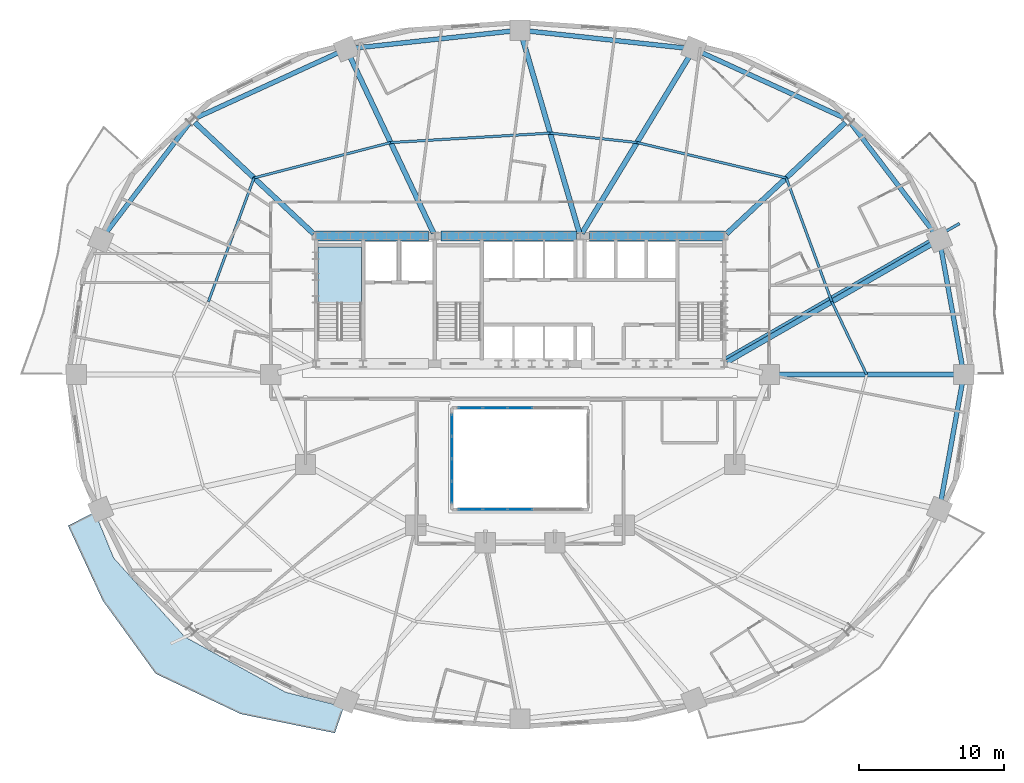
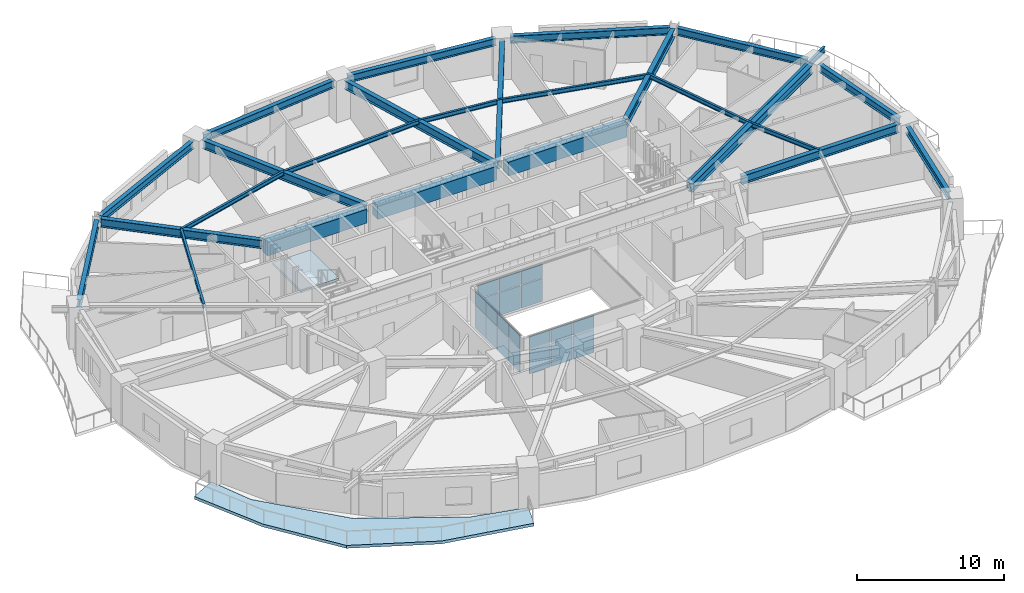
# One storey, part 7 of 17: 26 beams, 20 plates, 2 slabs, 4 elements without a shape of their own.
"""IFC4 building model written with IfcOpenShell, lengths in metres."""

from ifc_helpers import new_model, si_unit, direction, frame, origin, origin_2d, place, context, subcontext, project, spatial, polyline, rectangle, i_section, outline, extrude, material, layer, layer_set, material_profile, profile_set, type_object, element, aggregate, save


model = new_model("IFC4")

# Units and contexts
model_context = context("Model", 3, precision=1e-05, world=origin(), true_north=direction((0.0, 1.0)))
body_context = subcontext(model_context, "Body", "Model", "MODEL_VIEW")
ifc_project = project(units=[si_unit("LENGTHUNIT", "METRE"), si_unit("AREAUNIT", "SQUARE_METRE"), si_unit("VOLUMEUNIT", "CUBIC_METRE"), si_unit("PLANEANGLEUNIT", "RADIAN"), si_unit("MASSUNIT", "GRAM", prefix="KILO")], contexts=[model_context])

# Site, building, storey
site_placement = place(None, origin())
site = spatial("IfcSite", under=ifc_project, at=site_placement, CompositionType="ELEMENT")
building_placement = place(site_placement, origin())
building = spatial("IfcBuilding", under=site, at=building_placement, Name="Haldorwick Loom Tower", CompositionType="ELEMENT")
storey_placement = place(building_placement, frame((0.0, 0.0, 51.60009765625)))
storey = spatial("IfcBuildingStorey", under=building, at=storey_placement, Name="L13", CompositionType="ELEMENT", Elevation=51.60009765625)

# Beams
ifc_material_1 = material(Name="Steel CSA G40.21 350W", Category="steel")
ifc_material_profile_1 = material_profile(ifc_material_1, i_section(OverallWidth=0.193115234375, OverallDepth=0.466064453125, WebThickness=0.011474609375, FlangeThickness=0.01904296875, at=origin_2d()), Name="W460X97", Category="steel")
ifc_profile_set_1 = profile_set([ifc_material_profile_1], Name="Steel CSA G40.21 350W")
beam_type_1 = type_object("IfcBeamType", Name="STR-BM-BAL460", PredefinedType="BEAM", material=ifc_profile_set_1)
beam_1_placement = place(storey_placement, frame((50.125244140625, 27.10498046875, 2.976806640625), z_axis=(0.866607024941, 0.49899124674, 0.0), x_axis=(-0.49899124674, 0.866607024941, 0.0)))
element("IfcBeam", 1, at=beam_1_placement, inside=storey, type_object=beam_type_1, Name="L13 Continuous Back-Spanned Balcony Beam 4", PredefinedType="BEAM", context=body_context, shape_type="SweptSolid", body=[
    extrude(i_section(OverallWidth=0.193115234375, OverallDepth=0.466064453125, WebThickness=0.011474609375, FlangeThickness=0.01904296875, at=origin_2d()), origin(), (0.0, 0.0, 1.0), 18.65771484375),
])
ifc_material_2 = material(Name="Concrete C60 (60 MPa)", Category="concrete")
ifc_material_profile_2 = material_profile(ifc_material_2, rectangle(XDim=0.699951171875, YDim=1.14990234375, at=origin_2d()), Name="RC700X1150", Category="concrete")
ifc_profile_set_2 = profile_set([ifc_material_profile_2], Name="Concrete C60 (60 MPa)")
beam_type_2 = type_object("IfcBeamType", Name="STR-BM-CB1150", PredefinedType="LINTEL", material=ifc_profile_set_2)
beam_2_placement = place(storey_placement, frame((21.89990234375, 35.550048828125, 2.635009765625), z_axis=(1.0, 0.0, 0.0), x_axis=(0.0, 1.0, 0.0)))
element("IfcBeam", 2, at=beam_2_placement, inside=storey, type_object=beam_type_2, Name="L13 Core Coupling Beam CB-N1", PredefinedType="LINTEL", context=body_context, shape_type="SweptSolid", body=[
    extrude(rectangle(XDim=0.699951171875, YDim=1.14990234375, at=origin_2d()), origin(), (0.0, 0.0, 1.0), 7.800048828125),
])
beam_3_placement = place(storey_placement, frame((30.550048828125, 35.550048828125, 2.635009765625), z_axis=(1.0, 0.0, 0.0), x_axis=(0.0, 1.0, 0.0)))
element("IfcBeam", 3, at=beam_3_placement, inside=storey, type_object=beam_type_2, Name="L13 Core Coupling Beam CB-N2", PredefinedType="LINTEL", context=body_context, shape_type="SweptSolid", body=[
    extrude(rectangle(XDim=0.699951171875, YDim=1.14990234375, at=origin_2d()), origin(), (0.0, 0.0, 1.0), 9.349853515625),
])
beam_4_placement = place(storey_placement, frame((40.800048828125, 35.550048828125, 2.635009765625), z_axis=(1.0, 0.0, 0.0), x_axis=(0.0, 1.0, 0.0)))
element("IfcBeam", 4, at=beam_4_placement, inside=storey, type_object=beam_type_2, Name="L13 Core Coupling Beam CB-N3", PredefinedType="LINTEL", context=body_context, shape_type="SweptSolid", body=[
    extrude(rectangle(XDim=0.699951171875, YDim=1.14990234375, at=origin_2d()), origin(), (0.0, 0.0, 1.0), 9.300048828125),
])
ifc_material_profile_3 = material_profile(ifc_material_1, i_section(OverallWidth=0.172119140625, OverallDepth=0.35791015625, WebThickness=0.0078125, FlangeThickness=0.01318359375, at=origin_2d()), Name="W360X57", Category="steel")
ifc_profile_set_3 = profile_set([ifc_material_profile_3], Name="Steel CSA G40.21 350W")
beam_type_3 = type_object("IfcBeamType", Name="STR-BM-J360", PredefinedType="JOIST", material=ifc_profile_set_3)
beam_5_placement = place(storey_placement, frame((59.89794921875, 26.0, 3.031005859375), z_axis=(-0.431630738849, 0.902050389546, 0.0), x_axis=(-0.902050389546, -0.431630738849, 0.0)))
element("IfcBeam", 5, at=beam_5_placement, inside=storey, type_object=beam_type_3, Name="L13 Mid-Bay Secondary Joist 1", PredefinedType="JOIST", context=body_context, shape_type="SweptSolid", body=[
    extrude(i_section(OverallWidth=0.172119140625, OverallDepth=0.35791015625, WebThickness=0.0078125, FlangeThickness=0.01318359375, at=origin_2d()), origin(), (0.0, 0.0, 1.0), 5.5703125),
])
beam_6_placement = place(storey_placement, frame((57.49365234375, 31.024658203125, 3.031005859375), z_axis=(-0.345576005762, 0.938390763084, 0.0), x_axis=(-0.938390763084, -0.345576005762, 0.0)))
element("IfcBeam", 6, at=beam_6_placement, inside=storey, type_object=beam_type_3, Name="L13 Mid-Bay Secondary Joist 2", PredefinedType="JOIST", context=body_context, shape_type="SweptSolid", body=[
    extrude(i_section(OverallWidth=0.172119140625, OverallDepth=0.35791015625, WebThickness=0.0078125, FlangeThickness=0.01318359375, at=origin_2d()), origin(), (0.0, 0.0, 1.0), 9.0966796875),
])
beam_7_placement = place(storey_placement, frame((54.35009765625, 39.560791015625, 3.031005859375), z_axis=(-0.973016191143, 0.230736845289, 0.0), x_axis=(-0.230736845289, -0.973016191143, 0.0)))
element("IfcBeam", 7, at=beam_7_placement, inside=storey, type_object=beam_type_3, Name="L13 Mid-Bay Secondary Joist 3", PredefinedType="JOIST", context=body_context, shape_type="SweptSolid", body=[
    extrude(i_section(OverallWidth=0.172119140625, OverallDepth=0.35791015625, WebThickness=0.0078125, FlangeThickness=0.01318359375, at=origin_2d()), origin(), (0.0, 0.0, 1.0), 10.5712890625),
])
beam_8_placement = place(storey_placement, frame((44.06396484375, 42.0, 3.031005859375), z_axis=(-0.994163660215, 0.107882420753, 0.0), x_axis=(-0.107882420753, -0.994163660215, 0.0)))
element("IfcBeam", 8, at=beam_8_placement, inside=storey, type_object=beam_type_3, Name="L13 Mid-Bay Secondary Joist 4", PredefinedType="JOIST", context=body_context, shape_type="SweptSolid", body=[
    extrude(i_section(OverallWidth=0.172119140625, OverallDepth=0.35791015625, WebThickness=0.0078125, FlangeThickness=0.01318359375, at=origin_2d()), origin(), (0.0, 0.0, 1.0), 6.024169921875),
])
beam_9_placement = place(storey_placement, frame((38.074951171875, 42.64990234375, 3.031005859375), z_axis=(-0.998258904552, -0.058984400336, 0.0), x_axis=(0.058984400336, -0.998258904552, 0.0)))
element("IfcBeam", 9, at=beam_9_placement, inside=storey, type_object=beam_type_3, Name="L13 Mid-Bay Secondary Joist 5", PredefinedType="JOIST", context=body_context, shape_type="SweptSolid", body=[
    extrude(i_section(OverallWidth=0.172119140625, OverallDepth=0.35791015625, WebThickness=0.0078125, FlangeThickness=0.01318359375, at=origin_2d()), origin(), (0.0, 0.0, 1.0), 11.018310546875),
])
beam_10_placement = place(storey_placement, frame((27.075927734375, 42.0, 3.031005859375), z_axis=(-0.968110955806, -0.250521809927, 0.0), x_axis=(0.250521809927, -0.968110955806, 0.0)))
element("IfcBeam", 10, at=beam_10_placement, inside=storey, type_object=beam_type_3, Name="L13 Mid-Bay Secondary Joist 6", PredefinedType="JOIST", context=body_context, shape_type="SweptSolid", body=[
    extrude(i_section(OverallWidth=0.172119140625, OverallDepth=0.35791015625, WebThickness=0.0078125, FlangeThickness=0.01318359375, at=origin_2d()), origin(), (0.0, 0.0, 1.0), 9.736572265625),
])
beam_11_placement = place(storey_placement, frame((17.64990234375, 39.560791015625, 3.031005859375), z_axis=(-0.345576005762, -0.938390763084, 0.0), x_axis=(0.938390763084, -0.345576005762, 0.0)))
element("IfcBeam", 11, at=beam_11_placement, inside=storey, type_object=beam_type_3, Name="L13 Mid-Bay Secondary Joist 7", PredefinedType="JOIST", context=body_context, shape_type="SweptSolid", body=[
    extrude(i_section(OverallWidth=0.172119140625, OverallDepth=0.35791015625, WebThickness=0.0078125, FlangeThickness=0.01318359375, at=origin_2d()), origin(), (0.0, 0.0, 1.0), 9.0966796875),
])
ifc_material_profile_4 = material_profile(ifc_material_1, i_section(OverallWidth=0.324951171875, OverallDepth=0.615966796875, WebThickness=0.013916015625, FlangeThickness=0.021484375, at=origin_2d()), Name="W610X174", Category="steel")
ifc_profile_set_4 = profile_set([ifc_material_profile_4], Name="Steel CSA G40.21 350W")
beam_type_4 = type_object("IfcBeamType", Name="STR-BM-SP610", PredefinedType="SPANDREL", material=ifc_profile_set_4)
beam_12_placement = place(storey_placement, frame((66.503662109375, 26.51171875, 2.90185546875), z_axis=(-0.177641139482, 0.984095333575, 0.0), x_axis=(-0.984095333575, -0.177641139482, 0.0)))
element("IfcBeam", 12, at=beam_12_placement, inside=storey, type_object=beam_type_4, Name="L13 Perimeter Spandrel 1", PredefinedType="SPANDREL", context=body_context, shape_type="SweptSolid", body=[
    extrude(i_section(OverallWidth=0.324951171875, OverallDepth=0.615966796875, WebThickness=0.013916015625, FlangeThickness=0.021484375, at=origin_2d()), origin(), (0.0, 0.0, 1.0), 8.40966796875),
])
beam_13_placement = place(storey_placement, frame((64.602783203125, 35.713134765625, 2.90185546875), z_axis=(-0.605084557744, 0.796161213562, 0.0), x_axis=(-0.796161213562, -0.605084557744, 0.0)))
element("IfcBeam", 13, at=beam_13_placement, inside=storey, type_object=beam_type_4, Name="L13 Perimeter Spandrel 2", PredefinedType="SPANDREL", context=body_context, shape_type="SweptSolid", body=[
    extrude(i_section(OverallWidth=0.324951171875, OverallDepth=0.615966796875, WebThickness=0.013916015625, FlangeThickness=0.021484375, at=origin_2d()), origin(), (0.0, 0.0, 1.0), 9.595703125),
])
beam_14_placement = place(storey_placement, frame((58.380126953125, 43.68603515625, 2.90185546875), z_axis=(-0.909173805321, 0.416416848504, 0.0), x_axis=(-0.416416848504, -0.909173805321, 0.0)))
element("IfcBeam", 14, at=beam_14_placement, inside=storey, type_object=beam_type_4, Name="L13 Perimeter Spandrel 3", PredefinedType="SPANDREL", context=body_context, shape_type="SweptSolid", body=[
    extrude(i_section(OverallWidth=0.324951171875, OverallDepth=0.615966796875, WebThickness=0.013916015625, FlangeThickness=0.021484375, at=origin_2d()), origin(), (0.0, 0.0, 1.0), 10.92138671875),
])
for number, where, z_axis, x_axis, name in (
    (15, (47.4609375, 48.50634765625, 2.90185546875), (-0.994164438636, 0.107875247167, 0.0), (-0.107875247167, -0.994164438636, 0.0), "L13 Perimeter Spandrel 4"),
    (16, (35.48291015625, 49.69384765625, 2.90185546875), (-0.994164438636, -0.107875247167, 0.0), (0.107875247167, -0.994164438636, 0.0), "L13 Perimeter Spandrel 5"),
):
    element("IfcBeam", number, at=place(storey_placement, frame(where, z_axis=z_axis, x_axis=x_axis)), inside=storey, type_object=beam_type_4, Name=name, PredefinedType="SPANDREL", context=body_context, shape_type="SweptSolid", body=[
        extrude(i_section(OverallWidth=0.324951171875, OverallDepth=0.615966796875, WebThickness=0.013916015625, FlangeThickness=0.021484375, at=origin_2d()), origin(), (0.0, 0.0, 1.0), 11.008056640625),
    ])
beam_15_placement = place(storey_placement, frame((23.54931640625, 48.23388671875, 2.90185546875), z_axis=(-0.909173805321, -0.416416848504, 0.0), x_axis=(0.416416848504, -0.909173805321, 0.0)))
element("IfcBeam", 17, at=beam_15_placement, inside=storey, type_object=beam_type_4, Name="L13 Perimeter Spandrel 6", PredefinedType="SPANDREL", context=body_context, shape_type="SweptSolid", body=[
    extrude(i_section(OverallWidth=0.324951171875, OverallDepth=0.615966796875, WebThickness=0.013916015625, FlangeThickness=0.021484375, at=origin_2d()), origin(), (0.0, 0.0, 1.0), 10.92138671875),
])
beam_16_placement = place(storey_placement, frame((13.203369140625, 43.352783203125, 2.90185546875), z_axis=(-0.605084557744, -0.796161213562, 0.0), x_axis=(0.796161213562, -0.605084557744, 0.0)))
element("IfcBeam", 18, at=beam_16_placement, inside=storey, type_object=beam_type_4, Name="L13 Perimeter Spandrel 7", PredefinedType="SPANDREL", context=body_context, shape_type="SweptSolid", body=[
    extrude(i_section(OverallWidth=0.324951171875, OverallDepth=0.615966796875, WebThickness=0.013916015625, FlangeThickness=0.021484375, at=origin_2d()), origin(), (0.0, 0.0, 1.0), 9.595703125),
])
beam_17_placement = place(storey_placement, frame((65.009765625, 17.21240234375, 2.90185546875), z_axis=(0.177641139482, 0.984095333575, 0.0), x_axis=(-0.984095333575, 0.177641139482, 0.0)))
element("IfcBeam", 19, at=beam_17_placement, inside=storey, type_object=beam_type_4, Name="L13 Perimeter Spandrel 16", PredefinedType="SPANDREL", context=body_context, shape_type="SweptSolid", body=[
    extrude(i_section(OverallWidth=0.324951171875, OverallDepth=0.615966796875, WebThickness=0.013916015625, FlangeThickness=0.021484375, at=origin_2d()), origin(), (0.0, 0.0, 1.0), 8.40966796875),
])
ifc_material_profile_5 = material_profile(ifc_material_1, i_section(OverallWidth=0.35498046875, OverallDepth=0.695068359375, WebThickness=0.015380859375, FlangeThickness=0.02490234375, at=origin_2d()), Name="W690X217", Category="steel")
ifc_profile_set_5 = profile_set([ifc_material_profile_5], Name="Steel CSA G40.21 350W")
beam_type_5 = type_object("IfcBeamType", Name="STR-BM-W690", PredefinedType="BEAM", material=ifc_profile_set_5)
beam_18_placement = place(storey_placement, frame((53.719970703125, 26.0, 2.8623046875), z_axis=(1.0, 0.0, 0.0), x_axis=(0.0, 1.0, 0.0)))
element("IfcBeam", 20, at=beam_18_placement, inside=storey, type_object=beam_type_5, Name="L13 Radial Floor Girder 1", PredefinedType="BEAM", context=body_context, shape_type="SweptSolid", body=[
    extrude(i_section(OverallWidth=0.35498046875, OverallDepth=0.695068359375, WebThickness=0.015380859375, FlangeThickness=0.02490234375, at=origin_2d()), origin(), (0.0, 0.0, 1.0), 12.35595703125),
])
beam_19_placement = place(storey_placement, frame((50.264892578125, 26.8623046875, 2.8623046875), z_axis=(0.86660566838, 0.498993602696, 0.0), x_axis=(-0.498993602696, 0.86660566838, 0.0)))
element("IfcBeam", 21, at=beam_19_placement, inside=storey, type_object=beam_type_5, Name="L13 Radial Floor Girder 2", PredefinedType="BEAM", context=body_context, shape_type="SweptSolid", body=[
    extrude(i_section(OverallWidth=0.35498046875, OverallDepth=0.695068359375, WebThickness=0.015380859375, FlangeThickness=0.02490234375, at=origin_2d()), origin(), (0.0, 0.0, 1.0), 16.387939453125),
])
beam_20_placement = place(storey_placement, frame((50.234130859375, 35.703857421875, 2.8623046875), z_axis=(0.729689033278, 0.683779141766, 0.0), x_axis=(-0.683779141766, 0.729689033278, 0.0)))
element("IfcBeam", 22, at=beam_20_placement, inside=storey, type_object=beam_type_5, Name="L13 Radial Floor Girder 3", PredefinedType="BEAM", context=body_context, shape_type="SweptSolid", body=[
    extrude(i_section(OverallWidth=0.35498046875, OverallDepth=0.695068359375, WebThickness=0.015380859375, FlangeThickness=0.02490234375, at=origin_2d()), origin(), (0.0, 0.0, 1.0), 11.231201171875),
])
beam_21_placement = place(storey_placement, frame((40.2666015625, 35.742431640625, 2.8623046875), z_axis=(0.518781813409, 0.854906679162, 0.0), x_axis=(-0.854906679162, 0.518781813409, 0.0)))
element("IfcBeam", 23, at=beam_21_placement, inside=storey, type_object=beam_type_5, Name="L13 Radial Floor Girder 4", PredefinedType="BEAM", context=body_context, shape_type="SweptSolid", body=[
    extrude(i_section(OverallWidth=0.35498046875, OverallDepth=0.695068359375, WebThickness=0.015380859375, FlangeThickness=0.02490234375, at=origin_2d()), origin(), (0.0, 0.0, 1.0), 14.344482421875),
])
beam_22_placement = place(storey_placement, frame((40.0869140625, 35.76611328125, 2.8623046875), z_axis=(-0.28051378914, 0.959849995625, 0.0), x_axis=(-0.959849995625, -0.28051378914, 0.0)))
element("IfcBeam", 24, at=beam_22_placement, inside=storey, type_object=beam_type_5, Name="L13 Radial Floor Girder 5", PredefinedType="BEAM", context=body_context, shape_type="SweptSolid", body=[
    extrude(i_section(OverallWidth=0.35498046875, OverallDepth=0.695068359375, WebThickness=0.015380859375, FlangeThickness=0.02490234375, at=origin_2d()), origin(), (0.0, 0.0, 1.0), 14.048828125),
])
beam_23_placement = place(storey_placement, frame((30.03369140625, 35.75341796875, 2.8623046875), z_axis=(-0.427945149389, 0.903804707398, 0.0), x_axis=(-0.903804707398, -0.427945149389, 0.0)))
element("IfcBeam", 25, at=beam_23_placement, inside=storey, type_object=beam_type_5, Name="L13 Radial Floor Girder 6", PredefinedType="BEAM", context=body_context, shape_type="SweptSolid", body=[
    extrude(i_section(OverallWidth=0.35498046875, OverallDepth=0.695068359375, WebThickness=0.015380859375, FlangeThickness=0.02490234375, at=origin_2d()), origin(), (0.0, 0.0, 1.0), 13.528076171875),
])
beam_24_placement = place(storey_placement, frame((21.765869140625, 35.703857421875, 2.8623046875), z_axis=(-0.729689033278, 0.683779141766, 0.0), x_axis=(-0.683779141766, -0.729689033278, 0.0)))
element("IfcBeam", 26, at=beam_24_placement, inside=storey, type_object=beam_type_5, Name="L13 Radial Floor Girder 7", PredefinedType="BEAM", context=body_context, shape_type="SweptSolid", body=[
    extrude(i_section(OverallWidth=0.35498046875, OverallDepth=0.695068359375, WebThickness=0.015380859375, FlangeThickness=0.02490234375, at=origin_2d()), origin(), (0.0, 0.0, 1.0), 11.231201171875),
])

# Curtain wall, plates
ifc_material_3 = material(Name="Thermally Broken Anodized Aluminium Curtain Wall Framing", Category="aluminium")
curtain_wall_type = type_object("IfcCurtainWallType", Name="ARC-CW-03", PredefinedType="NOTDEFINED", material=ifc_material_3)
curtain_wall_1_placement = place(storey_placement, origin())
curtain_wall_1 = element("IfcCurtainWall", 27, at=curtain_wall_1_placement, inside=storey, type_object=curtain_wall_type, Name="L13 Atrium Glazed Screen S", PredefinedType="NOTDEFINED")
ifc_material_4 = material(Name="Triple-Glazed Low-E Argon Insulated Glazing Unit", Category="glass")
ifc_layer_1 = layer(ifc_material_4, 0.04296875, Name="Triple-Glazed Low-E Argon Insulated Glazing Unit", Category="glass")
ifc_layer_set_1 = layer_set([ifc_layer_1], Name="Triple-Glazed Low-E Argon Insulated Glazing Unit")
plate_type = type_object("IfcPlateType", Name="ARC-CWP-03", PredefinedType="CURTAIN_PANEL", material=ifc_layer_set_1)
plate_1_placement = place(storey_placement, frame((36.0, 16.699951171875, 0.06591796875), z_axis=(0.0, 0.0, 1.0), x_axis=(-1.0, 0.0, 0.0)))
plate_1 = element("IfcPlate", 28, at=plate_1_placement, type_object=plate_type, Name="CW-03 panel 3.1", PredefinedType="CURTAIN_PANEL", context=body_context, shape_type="SweptSolid", body=[
    extrude(rectangle(XDim=1.654052734375, YDim=0.04296875, at=origin_2d()), origin(), (0.0, 0.0, 1.0), 1.90087890625),
])
plate_2_placement = place(storey_placement, frame((36.0, 16.699951171875, 2.03271484375), z_axis=(0.0, 0.0, 1.0), x_axis=(-1.0, 0.0, 0.0)))
plate_2 = element("IfcPlate", 29, at=plate_2_placement, type_object=plate_type, Name="CW-03 panel 3.2", PredefinedType="CURTAIN_PANEL", context=body_context, shape_type="SweptSolid", body=[
    extrude(rectangle(XDim=1.654052734375, YDim=0.04296875, at=origin_2d()), origin(), (0.0, 0.0, 1.0), 1.111083984375),
])
plate_3_placement = place(storey_placement, frame((34.280029296875, 16.699951171875, 0.06591796875), z_axis=(0.0, 0.0, 1.0), x_axis=(-1.0, 0.0, 0.0)))
plate_3 = element("IfcPlate", 30, at=plate_3_placement, type_object=plate_type, Name="CW-03 panel 4.1", PredefinedType="CURTAIN_PANEL", context=body_context, shape_type="SweptSolid", body=[
    extrude(rectangle(XDim=1.654052734375, YDim=0.04296875, at=origin_2d()), origin(), (0.0, 0.0, 1.0), 1.90087890625),
])
plate_4_placement = place(storey_placement, frame((34.280029296875, 16.699951171875, 2.03271484375), z_axis=(0.0, 0.0, 1.0), x_axis=(-1.0, 0.0, 0.0)))
plate_4 = element("IfcPlate", 31, at=plate_4_placement, type_object=plate_type, Name="CW-03 panel 4.2", PredefinedType="CURTAIN_PANEL", context=body_context, shape_type="SweptSolid", body=[
    extrude(rectangle(XDim=1.654052734375, YDim=0.04296875, at=origin_2d()), origin(), (0.0, 0.0, 1.0), 1.111083984375),
])
plate_5_placement = place(storey_placement, frame((32.576416015625, 16.699951171875, 0.06591796875), z_axis=(0.0, 0.0, 1.0), x_axis=(-1.0, 0.0, 0.0)))
plate_5 = element("IfcPlate", 32, at=plate_5_placement, type_object=plate_type, Name="CW-03 panel 5.1", PredefinedType="CURTAIN_PANEL", context=body_context, shape_type="SweptSolid", body=[
    extrude(rectangle(XDim=1.62109375, YDim=0.04296875, at=origin_2d()), origin(), (0.0, 0.0, 1.0), 1.90087890625),
])
plate_6_placement = place(storey_placement, frame((32.576416015625, 16.699951171875, 2.03271484375), z_axis=(0.0, 0.0, 1.0), x_axis=(-1.0, 0.0, 0.0)))
plate_6 = element("IfcPlate", 33, at=plate_6_placement, type_object=plate_type, Name="CW-03 panel 5.2", PredefinedType="CURTAIN_PANEL", context=body_context, shape_type="SweptSolid", body=[
    extrude(rectangle(XDim=1.62109375, YDim=0.04296875, at=origin_2d()), origin(), (0.0, 0.0, 1.0), 1.111083984375),
])
aggregate(curtain_wall_1, [plate_1, plate_2, plate_3, plate_4, plate_5, plate_6])

curtain_wall_2_placement = place(storey_placement, origin())
curtain_wall_2 = element("IfcCurtainWall", 34, at=curtain_wall_2_placement, inside=storey, type_object=curtain_wall_type, Name="L13 Atrium Glazed Screen N", PredefinedType="NOTDEFINED")
plate_7_placement = place(storey_placement, frame((32.576416015625, 23.699951171875, 0.06591796875), z_axis=(0.0, 0.0, 1.0), x_axis=(1.0, 0.0, 0.0)))
plate_7 = element("IfcPlate", 35, at=plate_7_placement, type_object=plate_type, Name="CW-03 panel 1.1", PredefinedType="CURTAIN_PANEL", context=body_context, shape_type="SweptSolid", body=[
    extrude(rectangle(XDim=1.62109375, YDim=0.04296875, at=origin_2d()), origin(), (0.0, 0.0, 1.0), 1.90087890625),
])
plate_8_placement = place(storey_placement, frame((32.576416015625, 23.699951171875, 2.03271484375), z_axis=(0.0, 0.0, 1.0), x_axis=(1.0, 0.0, 0.0)))
plate_8 = element("IfcPlate", 36, at=plate_8_placement, type_object=plate_type, Name="CW-03 panel 1.2", PredefinedType="CURTAIN_PANEL", context=body_context, shape_type="SweptSolid", body=[
    extrude(rectangle(XDim=1.62109375, YDim=0.04296875, at=origin_2d()), origin(), (0.0, 0.0, 1.0), 1.111083984375),
])
plate_9_placement = place(storey_placement, frame((34.280029296875, 23.699951171875, 0.06591796875), z_axis=(0.0, 0.0, 1.0), x_axis=(1.0, 0.0, 0.0)))
plate_9 = element("IfcPlate", 37, at=plate_9_placement, type_object=plate_type, Name="CW-03 panel 2.1", PredefinedType="CURTAIN_PANEL", context=body_context, shape_type="SweptSolid", body=[
    extrude(rectangle(XDim=1.654052734375, YDim=0.04296875, at=origin_2d()), origin(), (0.0, 0.0, 1.0), 1.90087890625),
])
plate_10_placement = place(storey_placement, frame((34.280029296875, 23.699951171875, 2.03271484375), z_axis=(0.0, 0.0, 1.0), x_axis=(1.0, 0.0, 0.0)))
plate_10 = element("IfcPlate", 38, at=plate_10_placement, type_object=plate_type, Name="CW-03 panel 2.2", PredefinedType="CURTAIN_PANEL", context=body_context, shape_type="SweptSolid", body=[
    extrude(rectangle(XDim=1.654052734375, YDim=0.04296875, at=origin_2d()), origin(), (0.0, 0.0, 1.0), 1.111083984375),
])
plate_11_placement = place(storey_placement, frame((36.0, 23.699951171875, 0.06591796875), z_axis=(0.0, 0.0, 1.0), x_axis=(1.0, 0.0, 0.0)))
plate_11 = element("IfcPlate", 39, at=plate_11_placement, type_object=plate_type, Name="CW-03 panel 3.1", PredefinedType="CURTAIN_PANEL", context=body_context, shape_type="SweptSolid", body=[
    extrude(rectangle(XDim=1.654052734375, YDim=0.04296875, at=origin_2d()), origin(), (0.0, 0.0, 1.0), 1.90087890625),
])
plate_12_placement = place(storey_placement, frame((36.0, 23.699951171875, 2.03271484375), z_axis=(0.0, 0.0, 1.0), x_axis=(1.0, 0.0, 0.0)))
plate_12 = element("IfcPlate", 40, at=plate_12_placement, type_object=plate_type, Name="CW-03 panel 3.2", PredefinedType="CURTAIN_PANEL", context=body_context, shape_type="SweptSolid", body=[
    extrude(rectangle(XDim=1.654052734375, YDim=0.04296875, at=origin_2d()), origin(), (0.0, 0.0, 1.0), 1.111083984375),
])
aggregate(curtain_wall_2, [plate_7, plate_8, plate_9, plate_10, plate_11, plate_12])

curtain_wall_3_placement = place(storey_placement, origin())
curtain_wall_3 = element("IfcCurtainWall", 41, at=curtain_wall_3_placement, inside=storey, type_object=curtain_wall_type, Name="L13 Atrium Glazed Screen W", PredefinedType="NOTDEFINED")
plate_13_placement = place(storey_placement, frame((31.300048828125, 17.8916015625, 0.06591796875), z_axis=(0.0, 0.0, 1.0), x_axis=(0.0, 1.0, 0.0)))
plate_13 = element("IfcPlate", 42, at=plate_13_placement, type_object=plate_type, Name="CW-03 panel 1.1", PredefinedType="CURTAIN_PANEL", context=body_context, shape_type="SweptSolid", body=[
    extrude(rectangle(XDim=1.450927734375, YDim=0.04296875, at=origin_2d()), origin(), (0.0, 0.0, 1.0), 1.90087890625),
])
plate_14_placement = place(storey_placement, frame((31.300048828125, 17.8916015625, 2.03271484375), z_axis=(0.0, 0.0, 1.0), x_axis=(0.0, 1.0, 0.0)))
plate_14 = element("IfcPlate", 43, at=plate_14_placement, type_object=plate_type, Name="CW-03 panel 1.2", PredefinedType="CURTAIN_PANEL", context=body_context, shape_type="SweptSolid", body=[
    extrude(rectangle(XDim=1.450927734375, YDim=0.04296875, at=origin_2d()), origin(), (0.0, 0.0, 1.0), 1.111083984375),
])
plate_15_placement = place(storey_placement, frame((31.300048828125, 19.425048828125, 0.06591796875), z_axis=(0.0, 0.0, 1.0), x_axis=(0.0, 1.0, 0.0)))
plate_15 = element("IfcPlate", 44, at=plate_15_placement, type_object=plate_type, Name="CW-03 panel 2.1", PredefinedType="CURTAIN_PANEL", context=body_context, shape_type="SweptSolid", body=[
    extrude(rectangle(XDim=1.48388671875, YDim=0.04296875, at=origin_2d()), origin(), (0.0, 0.0, 1.0), 1.90087890625),
])
plate_16_placement = place(storey_placement, frame((31.300048828125, 19.425048828125, 2.03271484375), z_axis=(0.0, 0.0, 1.0), x_axis=(0.0, 1.0, 0.0)))
plate_16 = element("IfcPlate", 45, at=plate_16_placement, type_object=plate_type, Name="CW-03 panel 2.2", PredefinedType="CURTAIN_PANEL", context=body_context, shape_type="SweptSolid", body=[
    extrude(rectangle(XDim=1.48388671875, YDim=0.04296875, at=origin_2d()), origin(), (0.0, 0.0, 1.0), 1.111083984375),
])
plate_17_placement = place(storey_placement, frame((31.300048828125, 20.97509765625, 0.06591796875), z_axis=(0.0, 0.0, 1.0), x_axis=(0.0, 1.0, 0.0)))
plate_17 = element("IfcPlate", 46, at=plate_17_placement, type_object=plate_type, Name="CW-03 panel 3.1", PredefinedType="CURTAIN_PANEL", context=body_context, shape_type="SweptSolid", body=[
    extrude(rectangle(XDim=1.48388671875, YDim=0.04296875, at=origin_2d()), origin(), (0.0, 0.0, 1.0), 1.90087890625),
])
plate_18_placement = place(storey_placement, frame((31.300048828125, 20.97509765625, 2.03271484375), z_axis=(0.0, 0.0, 1.0), x_axis=(0.0, 1.0, 0.0)))
plate_18 = element("IfcPlate", 47, at=plate_18_placement, type_object=plate_type, Name="CW-03 panel 3.2", PredefinedType="CURTAIN_PANEL", context=body_context, shape_type="SweptSolid", body=[
    extrude(rectangle(XDim=1.48388671875, YDim=0.04296875, at=origin_2d()), origin(), (0.0, 0.0, 1.0), 1.111083984375),
])
plate_19_placement = place(storey_placement, frame((31.300048828125, 22.508544921875, 0.06591796875), z_axis=(0.0, 0.0, 1.0), x_axis=(0.0, 1.0, 0.0)))
plate_19 = element("IfcPlate", 48, at=plate_19_placement, type_object=plate_type, Name="CW-03 panel 4.1", PredefinedType="CURTAIN_PANEL", context=body_context, shape_type="SweptSolid", body=[
    extrude(rectangle(XDim=1.450927734375, YDim=0.04296875, at=origin_2d()), origin(), (0.0, 0.0, 1.0), 1.90087890625),
])
plate_20_placement = place(storey_placement, frame((31.300048828125, 22.508544921875, 2.03271484375), z_axis=(0.0, 0.0, 1.0), x_axis=(0.0, 1.0, 0.0)))
plate_20 = element("IfcPlate", 49, at=plate_20_placement, type_object=plate_type, Name="CW-03 panel 4.2", PredefinedType="CURTAIN_PANEL", context=body_context, shape_type="SweptSolid", body=[
    extrude(rectangle(XDim=1.450927734375, YDim=0.04296875, at=origin_2d()), origin(), (0.0, 0.0, 1.0), 1.111083984375),
])
aggregate(curtain_wall_3, [plate_13, plate_14, plate_15, plate_16, plate_17, plate_18, plate_19, plate_20])

# Slab
ifc_material_5 = material(Name="Concrete C40 (40 MPa)", Category="concrete")
ifc_layer_2 = layer(ifc_material_5, 0.239990234375, Name="Concrete C40 (40 MPa)", Category="concrete")
ifc_layer_set_2 = layer_set([ifc_layer_2], Name="Concrete C40 (40 MPa)")
slab_type_1 = type_object("IfcSlabType", Name="STR-SLB-BAL240", PredefinedType="FLOOR", material=ifc_layer_set_2)
slab_1_placement = place(storey_placement, frame((0.0, 0.0, -0.239990234375)))
element("IfcSlab", 50, at=slab_1_placement, inside=storey, type_object=slab_type_1, Name="L13 Sinusoidal Balcony Terrace BAL_SW", PredefinedType="FLOOR", context=body_context, shape_type="SweptSolid", body=[
    extrude(outline(polyline([(23.8466796875, 3.09130859375), (19.8203125, 4.0966796875), (19.819091796875, 4.096923828125), (19.81787109375, 4.097412109375), (19.81689453125, 4.09814453125), (12.86767578125, 7.92041015625), (12.8662109375, 7.921142578125), (12.86474609375, 7.922119140625), (12.86376953125, 7.92333984375), (7.97119140625, 13.3525390625), (7.97021484375, 13.353515625), (7.969482421875, 13.3544921875), (7.968994140625, 13.355712890625), (7.968505859375, 13.356689453125), (6.67529296875, 16.51806640625), (4.827880859375, 15.580322265625), (7.230224609375, 10.39892578125), (10.873779296875, 5.372314453125), (16.745361328125, 2.591552734375), (23.228759765625, 1.279541015625), (23.8466796875, 3.09130859375)])), origin(), (0.0, 0.0, 1.0), 0.239990234375),
])

# Stair, slab
stair_type = type_object("IfcStairType", Name="STR-STR-CORE", PredefinedType="HALF_TURN_STAIR", material=ifc_material_5)
stair_placement = place(storey_placement, origin())
stair = element("IfcStair", 51, at=stair_placement, inside=storey, type_object=stair_type, Name="L13 Exit Stair ST-01", PredefinedType="HALF_TURN_STAIR")
ifc_layer_3 = layer(ifc_material_5, 0.199951171875, Name="Concrete C40 (40 MPa)", Category="concrete")
ifc_layer_set_3 = layer_set([ifc_layer_3], Name="Concrete C40 (40 MPa)")
slab_type_2 = type_object("IfcSlabType", Name="STR-SLB-LAND200", PredefinedType="LANDING", material=ifc_layer_set_3)
slab_2_placement = place(storey_placement, frame((0.0, 0.0, 1.52490234375)))
slab_2 = element("IfcSlab", 52, at=slab_2_placement, type_object=slab_type_2, Name="ST-01 landing 1", PredefinedType="LANDING", context=body_context, shape_type="SweptSolid", body=[
    extrude(outline(polyline([(25.050048828125, 30.919921875), (25.050048828125, 34.800048828125), (22.050048828125, 34.800048828125), (22.050048828125, 30.919921875), (25.050048828125, 30.919921875)])), origin(), (0.0, 0.0, 1.0), 0.199951171875),
])
aggregate(stair, [slab_2])

save(model, "model.ifc")
